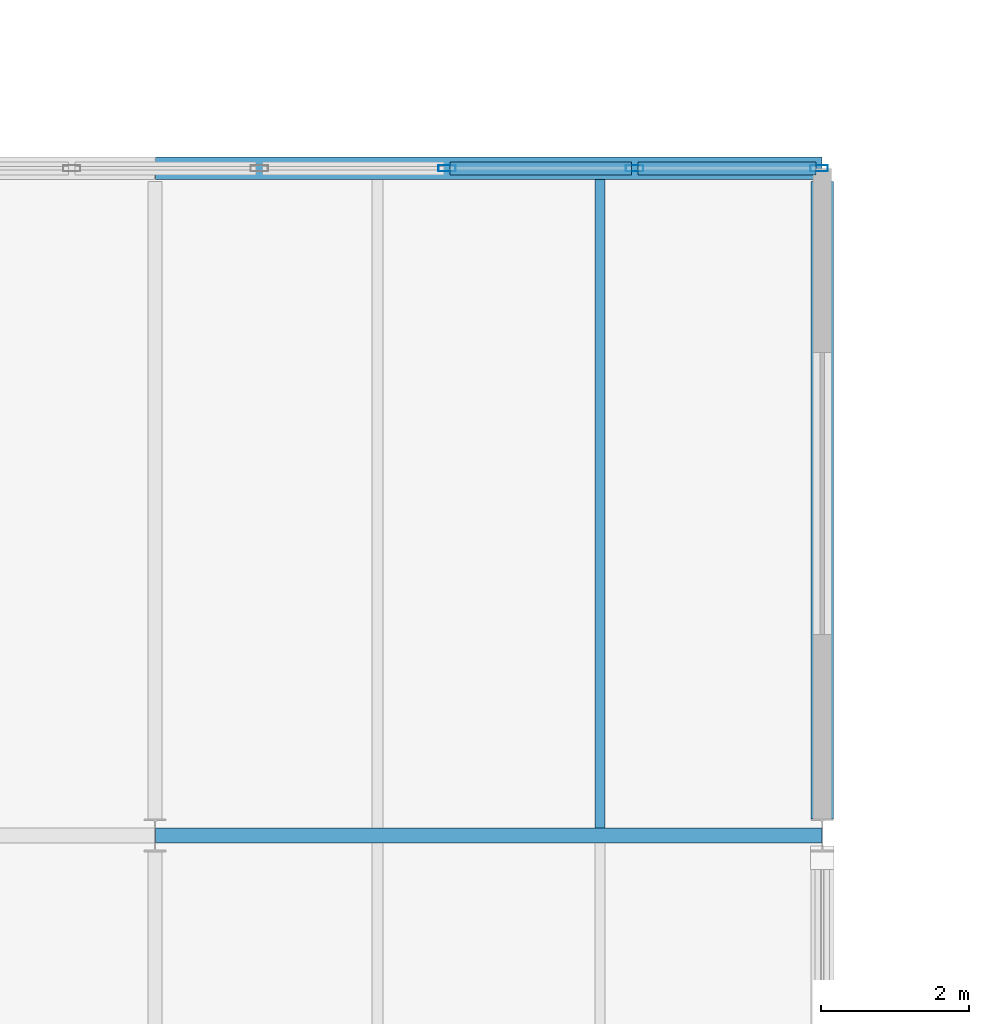
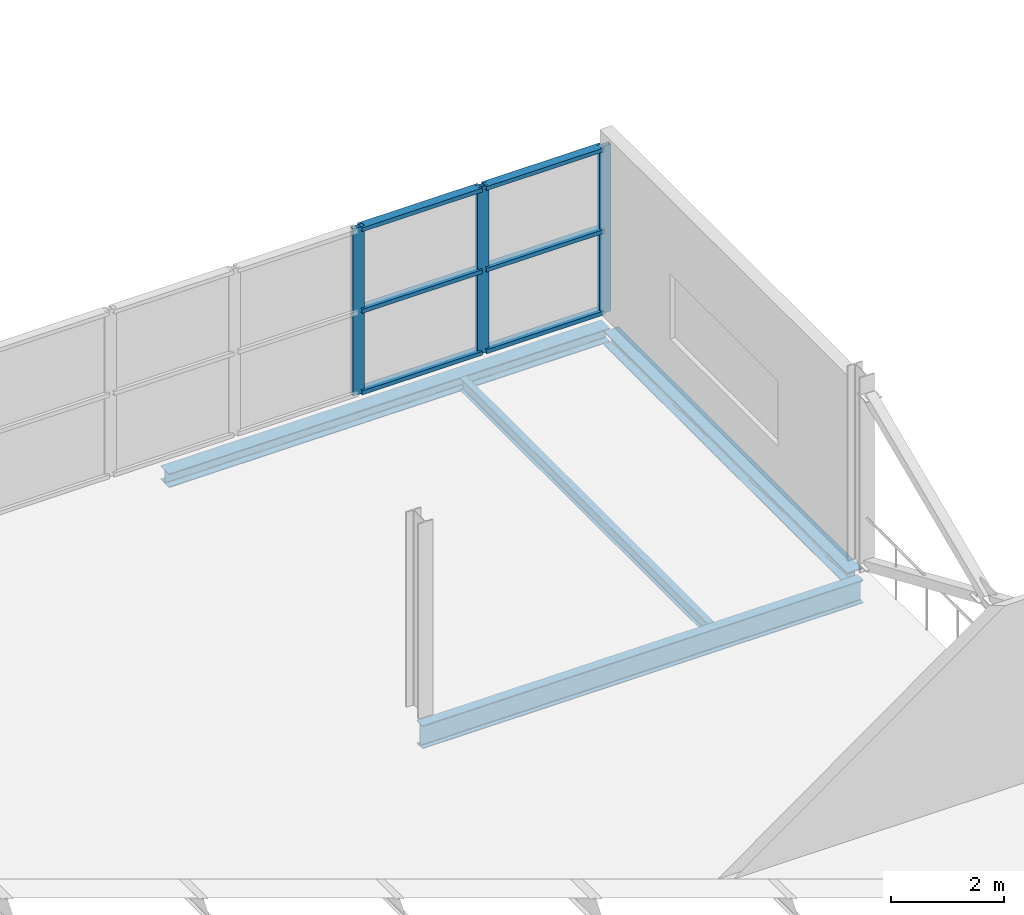
# One storey, part 63 of 88: 9 members, 4 beams, 1 element without a shape of its own.
"""IFC4 building model written with IfcOpenShell, lengths in metres."""

import ifcopenshell
import ifcopenshell.guid

model = None  # the IFC model being written
_history = None  # IfcOwnerHistory: only IFC2X3 demands one
_inside = {}  # id of a spatial element -> (the spatial element, [elements in it])
_under = {}  # id of a project, library or spatial element -> (it, [spatial elements below it])
_declared = {}  # id of a project -> (the project, [libraries it declares])
_typed = {}  # id of a type object -> (the type object, [elements of that type])
_made_of = {}  # id of a material, layer set ... -> (it, [elements and type objects made of it])


def new_model(schema):
    """Start an empty IFC model of exactly this schema.

    Asked for "IFC4X3", IfcOpenShell would pick the latest addendum, in which some entities
    have other attributes; the version numbers below select the first issue.
    IFC2X3 requires an IfcOwnerHistory on every rooted entity: one is made here for all.
    """
    global model, _history
    if schema == "IFC4X3":
        model = ifcopenshell.file(schema_version=(4, 3, 0, 0))
    else:
        model = ifcopenshell.file(schema=schema)
    _inside.clear()
    _under.clear()
    _declared.clear()
    _typed.clear()
    _made_of.clear()
    _history = None
    if model.schema == "IFC2X3":
        org = make("IfcOrganization", Name="unknown")
        user = make(
            "IfcPersonAndOrganization",
            ThePerson=make("IfcPerson", FamilyName="unknown"),
            TheOrganization=org,
        )
        app = make(
            "IfcApplication",
            ApplicationDeveloper=org,
            Version="unknown",
            ApplicationFullName="unknown",
            ApplicationIdentifier="unknown",
        )
        _history = make(
            "IfcOwnerHistory",
            OwningUser=user,
            OwningApplication=app,
            ChangeAction="ADDED",
            CreationDate=0,
        )
    return model


def make(cls, **values):
    """One entity of the class cls with the attributes given. An attribute that is None is left unset."""
    return model.create_entity(
        cls, **{name: value for name, value in values.items() if value is not None}
    )


def rooted(cls, **values):
    """An entity with a GlobalId (a new one), such as an element, a storey or a relation."""
    return make(cls, GlobalId=ifcopenshell.guid.new(), OwnerHistory=_history, **values)


def si_unit(unit_type, name, prefix=None):
    """IfcSIUnit, for example si_unit("LENGTHUNIT", "METRE", prefix="MILLI")."""
    return make("IfcSIUnit", UnitType=unit_type, Prefix=prefix, Name=name)


def assignment(units):
    """IfcUnitAssignment: the units of a project."""
    return None if units is None else make("IfcUnitAssignment", Units=units)


def point(xyz):
    """IfcCartesianPoint."""
    return None if xyz is None else make("IfcCartesianPoint", Coordinates=xyz)


def direction(xyz):
    """IfcDirection."""
    return None if xyz is None else make("IfcDirection", DirectionRatios=xyz)


def frame(location, z_axis=None, x_axis=None):
    """IfcAxis2Placement3D, a coordinate frame: its origin and axes. An axis left out is left unset."""
    return make(
        "IfcAxis2Placement3D",
        Location=point(location),
        Axis=direction(z_axis),
        RefDirection=direction(x_axis),
    )


def frame_2d(location, x_axis=None):
    """IfcAxis2Placement2D, a coordinate frame in the plane: its origin and x axis."""
    return make(
        "IfcAxis2Placement2D", Location=point(location), RefDirection=direction(x_axis)
    )


def origin():
    """The frame at (0, 0, 0) with its axes left unset."""
    return frame((0.0, 0.0, 0.0))


def origin_2d():
    """The frame at (0, 0) in the plane with its x axis left unset."""
    return frame_2d((0.0, 0.0))


def place(relative_to, where):
    """IfcLocalPlacement: puts the frame where relative to a parent placement (None: the world)."""
    return make(
        "IfcLocalPlacement", PlacementRelTo=relative_to, RelativePlacement=where
    )


def context(
    kind, dimensions, precision=None, world=None, true_north=None, identifier=None
):
    """IfcGeometricRepresentationContext, for example the 3D "Model" context."""
    return make(
        "IfcGeometricRepresentationContext",
        ContextIdentifier=identifier,
        ContextType=kind,
        CoordinateSpaceDimension=dimensions,
        Precision=precision,
        WorldCoordinateSystem=world,
        TrueNorth=true_north,
    )


def subcontext(parent, identifier, kind, view, scale=None):
    """IfcGeometricRepresentationSubContext, for example "Body" below "Model"."""
    return make(
        "IfcGeometricRepresentationSubContext",
        ContextIdentifier=identifier,
        ContextType=kind,
        ParentContext=parent,
        TargetScale=scale,
        TargetView=view,
    )


def project(units=None, contexts=None):
    """IfcProject with its units and contexts."""
    return rooted(
        "IfcProject",
        Name="project",
        RepresentationContexts=contexts,
        UnitsInContext=assignment(units),
    )


def spatial(cls, under=None, at=None, **own):
    """A site, building, storey or space (cls), placed at a placement, below another one or the project."""
    s = rooted(cls, ObjectPlacement=at, **own)
    if under is not None:
        _under.setdefault(under.id(), (under, []))[1].append(s)
    return s


def profile(cls, at=None, kind="AREA", **sizes):
    """A parametric profile (cls). Its sizes go by their IFC names, for example OverallWidth=200.0."""
    return make(cls, ProfileType=kind, Position=at, **sizes)


def hollow_rectangle(**sizes):
    """IfcRectangleHollowProfileDef."""
    return profile("IfcRectangleHollowProfileDef", **sizes)


def i_section(**sizes):
    """IfcIShapeProfileDef."""
    return profile("IfcIShapeProfileDef", **sizes)


def extrude(swept, where, along, depth):
    """IfcExtrudedAreaSolid: the profile swept, set in the frame where, extruded along a direction by depth."""
    return make(
        "IfcExtrudedAreaSolid",
        SweptArea=swept,
        Position=where,
        ExtrudedDirection=direction(along),
        Depth=depth,
    )


def shape(context_of_items, identifier, shape_type, items):
    """IfcShapeRepresentation: the items that make up one representation, for example the "Body"."""
    return make(
        "IfcShapeRepresentation",
        ContextOfItems=context_of_items,
        RepresentationIdentifier=identifier,
        RepresentationType=shape_type,
        Items=items,
    )


def material(Name=None, Category=None):
    """IfcMaterial."""
    return make("IfcMaterial", Name=Name, Category=Category)


def layer(
    of_material, thickness, ventilated=None, Name=None, Category=None, Priority=None
):
    """IfcMaterialLayer: one layer of a wall or slab, of a material (None: an air gap)."""
    return make(
        "IfcMaterialLayer",
        Material=of_material,
        LayerThickness=thickness,
        IsVentilated=ventilated,
        Name=Name,
        Category=Category,
        Priority=Priority,
    )


def layer_set(layers, Name=None):
    """IfcMaterialLayerSet."""
    return make("IfcMaterialLayerSet", MaterialLayers=layers, LayerSetName=Name)


def material_profile(
    of_material, cross_section, Name=None, Category=None, Priority=None
):
    """IfcMaterialProfile: a cross section and its material."""
    return make(
        "IfcMaterialProfile",
        Name=Name,
        Material=of_material,
        Profile=cross_section,
        Priority=Priority,
        Category=Category,
    )


def profile_set(profiles, Name=None, composite=None):
    """IfcMaterialProfileSet."""
    return make(
        "IfcMaterialProfileSet",
        Name=Name,
        MaterialProfiles=profiles,
        CompositeProfile=composite,
    )


def made_of(thing, what):
    """Note that an element or type object is made of a material, layer set ...; save() writes the relation."""
    if what is not None:
        _made_of.setdefault(what.id(), (what, []))[1].append(thing)
    return thing


def type_object(cls, material=None, **own):
    """A type object (cls), such as IfcWallType, which elements share."""
    return made_of(rooted(cls, **own), material)


def element(
    cls,
    number,
    at=None,
    inside=None,
    cuts=None,
    type_object=None,
    material=None,
    context=None,
    identifier="Body",
    shape_type=None,
    held_by="IfcProductDefinitionShape",
    body=None,
    shapes=None,
    **own,
):
    """One element of the class cls, such as IfcWall. Its Tag is "e" and its number.

    at: its placement. inside: the storey or other place that contains it. cuts: it is an
    opening in that element (IfcRelVoidsElement). A single representation is given by context,
    identifier, shape_type and body (its items); several are given by shapes. held_by: the class
    of the entity that holds the representations. save() writes the other relations.
    """
    e = rooted(cls, Tag="e%d" % number, ObjectPlacement=at, **own)
    if body is not None:
        shapes = [shape(context, identifier, shape_type, body)]
    if shapes is not None:
        e.Representation = make(held_by, Representations=shapes)
    if inside is not None:
        _inside.setdefault(inside.id(), (inside, []))[1].append(e)
    if cuts is not None:
        rooted(
            "IfcRelVoidsElement", RelatingBuildingElement=cuts, RelatedOpeningElement=e
        )
    if type_object is not None:
        _typed.setdefault(type_object.id(), (type_object, []))[1].append(e)
    return made_of(e, material)


def aggregate(whole, parts):
    """IfcRelAggregates: a whole, such as a stair, and the parts it consists of."""
    return rooted("IfcRelAggregates", RelatingObject=whole, RelatedObjects=parts)


def save(model, path):
    """Write the relations noted so far, then the file.

    IfcRelAggregates (storeys below a building ...), IfcRelContainedInSpatialStructure (elements
    in a storey), IfcRelDefinesByType, IfcRelAssociatesMaterial and IfcRelDeclares: one each for
    every whole, place, type object, material and project.
    """
    for whole, parts in _under.values():
        aggregate(whole, parts)
    for where, things in _inside.values():
        rooted(
            "IfcRelContainedInSpatialStructure",
            RelatedElements=things,
            RelatingStructure=where,
        )
    for kind, things in _typed.values():
        rooted("IfcRelDefinesByType", RelatedObjects=things, RelatingType=kind)
    for what, things in _made_of.values():
        rooted("IfcRelAssociatesMaterial", RelatedObjects=things, RelatingMaterial=what)
    for by, libraries in _declared.values():
        rooted("IfcRelDeclares", RelatingContext=by, RelatedDefinitions=libraries)
    model.write(path)


model = new_model("IFC4")

# Units and contexts
model_context = context("Model", 3, precision=1e-05, world=origin(), true_north=direction((0.0, 1.0)))
body_context = subcontext(model_context, "Body", "Model", "MODEL_VIEW")
ifc_project = project(units=[si_unit("LENGTHUNIT", "METRE"), si_unit("AREAUNIT", "SQUARE_METRE"), si_unit("VOLUMEUNIT", "CUBIC_METRE"), si_unit("PLANEANGLEUNIT", "RADIAN"), si_unit("MASSUNIT", "GRAM", prefix="KILO")], contexts=[model_context])

# Site, building, storey
site_placement = place(None, origin())
site = spatial("IfcSite", under=ifc_project, at=site_placement, CompositionType="ELEMENT")
building_placement = place(site_placement, origin())
building = spatial("IfcBuilding", under=site, at=building_placement, Name="Deido Ridge Mobility Hub", CompositionType="ELEMENT")
storey_placement = place(building_placement, frame((0.0, 0.0, 16.800048828125)))
storey = spatial("IfcBuildingStorey", under=building, at=storey_placement, Name="L04", CompositionType="ELEMENT", Elevation=16.800048828125)

# Beams
ifc_material_1 = material(Name="Steel S355J2 EN 10025-2", Category="steel")
ifc_material_profile_1 = material_profile(ifc_material_1, i_section(OverallWidth=0.199951171875, OverallDepth=0.5, WebThickness=0.01025390625, FlangeThickness=0.01611328125, FilletRadius=0.02099609375, at=origin_2d()), Name="IPE 500")
ifc_profile_set_1 = profile_set([ifc_material_profile_1], Name="Steel S355J2 EN 10025-2")
beam_type_1 = type_object("IfcBeamType", Name="BM-IPE500", PredefinedType="BEAM", material=ifc_profile_set_1)
beam_1_placement = place(storey_placement, frame((171.007080078125, 63.0, -0.525146484375), z_axis=(1.0, 0.0, 0.0), x_axis=(0.0, 1.0, 0.0)))
element("IfcBeam", 1, at=beam_1_placement, inside=storey, type_object=beam_type_1, Name="Floor beam B3", PredefinedType="BEAM", context=body_context, shape_type="SweptSolid", body=[
    extrude(i_section(OverallWidth=0.199951171875, OverallDepth=0.5, WebThickness=0.01025390625, FlangeThickness=0.01611328125, FilletRadius=0.02099609375, at=origin_2d()), origin(), (0.0, 0.0, 1.0), 8.98583984375),
])
ifc_material_profile_2 = material_profile(ifc_material_1, i_section(OverallWidth=0.135009765625, OverallDepth=0.27001953125, WebThickness=0.006591796875, FlangeThickness=0.01025390625, FilletRadius=0.014892578125, at=origin_2d()), Name="IPE 270")
ifc_profile_set_2 = profile_set([ifc_material_profile_2], Name="Steel S355J2 EN 10025-2")
beam_type_2 = type_object("IfcBeamType", Name="JST-IPE270", PredefinedType="JOIST", material=ifc_profile_set_2)
beam_2_placement = place(storey_placement, frame((177.0, 63.10009765625, -0.41015625), z_axis=(0.0, 1.0, 0.0), x_axis=(-1.0, 0.0, 0.0)))
element("IfcBeam", 2, at=beam_2_placement, inside=storey, type_object=beam_type_2, Name="Composite joist J4", PredefinedType="JOIST", context=body_context, shape_type="SweptSolid", body=[
    extrude(i_section(OverallWidth=0.135009765625, OverallDepth=0.27001953125, WebThickness=0.006591796875, FlangeThickness=0.01025390625, FilletRadius=0.014892578125, at=origin_2d()), origin(), (0.0, 0.0, 1.0), 8.75),
])

# Curtain wall, members
ifc_material_2 = material(Name="Anodised aluminium EN AW-6063 T6", Category="aluminium")
ifc_layer = layer(ifc_material_2, 0.132080078125, Name="Anodised aluminium EN AW-6063 T6")
ifc_layer_set = layer_set([ifc_layer], Name="Anodised aluminium EN AW-6063 T6")
curtain_wall_type = type_object("IfcCurtainWallType", Name="CW-GS-1", PredefinedType="USERDEFINED", material=ifc_layer_set)
curtain_wall_placement = place(storey_placement, origin())
curtain_wall = element("IfcCurtainWall", 3, at=curtain_wall_placement, inside=storey, type_object=curtain_wall_type, Name="Unitised curtain wall GS1", ObjectType="GLAZED SCREEN", PredefinedType="USERDEFINED")
ifc_material_profile_3 = material_profile(ifc_material_2, hollow_rectangle(XDim=0.0849609375, YDim=0.235107421875, WallThickness=0.00390625, at=origin_2d()), Name="RHS 85x235x4")
ifc_profile_set_3 = profile_set([ifc_material_profile_3], Name="Anodised aluminium EN AW-6063 T6")
member_type_1 = type_object("IfcMemberType", Name="MEM-MUL-85X235", PredefinedType="MULLION", material=ifc_profile_set_3)
member_1_placement = place(storey_placement, frame((174.9375, 72.0, 0.0), z_axis=(0.0, 0.0, 1.0), x_axis=(0.0, 1.0, 0.0)))
member_1 = element("IfcMember", 4, at=member_1_placement, type_object=member_type_1, Name="GS1 mullion 15", PredefinedType="MULLION", context=body_context, shape_type="SweptSolid", body=[
    extrude(hollow_rectangle(XDim=0.0849609375, YDim=0.235107421875, WallThickness=0.00390625, at=origin_2d()), origin(), (0.0, 0.0, 1.0), 3.599853515625),
])
member_2_placement = place(storey_placement, frame((177.46875, 72.0, 0.0), z_axis=(0.0, 0.0, 1.0), x_axis=(0.0, 1.0, 0.0)))
member_2 = element("IfcMember", 5, at=member_2_placement, type_object=member_type_1, Name="GS1 mullion 16", PredefinedType="MULLION", context=body_context, shape_type="SweptSolid", body=[
    extrude(hollow_rectangle(XDim=0.0849609375, YDim=0.235107421875, WallThickness=0.00390625, at=origin_2d()), origin(), (0.0, 0.0, 1.0), 3.599853515625),
])
member_3_placement = place(storey_placement, frame((179.95751953125, 72.0, 0.0), z_axis=(0.0, 0.0, 1.0), x_axis=(0.0, 1.0, 0.0)))
member_3 = element("IfcMember", 6, at=member_3_placement, type_object=member_type_1, Name="GS1 mullion 17", PredefinedType="MULLION", context=body_context, shape_type="SweptSolid", body=[
    extrude(hollow_rectangle(XDim=0.0849609375, YDim=0.235107421875, WallThickness=0.00390625, at=origin_2d()), origin(), (0.0, 0.0, 1.0), 3.599853515625),
])
ifc_material_profile_4 = material_profile(ifc_material_2, hollow_rectangle(XDim=0.175048828125, YDim=0.0849609375, WallThickness=0.00390625, at=origin_2d()), Name="RHS 175x85x4")
ifc_profile_set_4 = profile_set([ifc_material_profile_4], Name="Anodised aluminium EN AW-6063 T6")
member_type_2 = type_object("IfcMemberType", Name="MEM-TRN-175X85", PredefinedType="USERDEFINED", material=ifc_profile_set_4)
member_4_placement = place(storey_placement, frame((174.97998046875, 72.0, 0.04248046875), z_axis=(1.0, 0.0, 0.0), x_axis=(0.0, 1.0, 0.0)))
member_4 = element("IfcMember", 7, at=member_4_placement, type_object=member_type_2, Name="GS1 transom 15.1", ObjectType="TRANSOM", PredefinedType="USERDEFINED", context=body_context, shape_type="SweptSolid", body=[
    extrude(hollow_rectangle(XDim=0.175048828125, YDim=0.0849609375, WallThickness=0.00390625, at=origin_2d()), origin(), (0.0, 0.0, 1.0), 2.4462890625),
])
member_5_placement = place(storey_placement, frame((174.97998046875, 72.0, 1.800048828125), z_axis=(1.0, 0.0, 0.0), x_axis=(0.0, 1.0, 0.0)))
member_5 = element("IfcMember", 8, at=member_5_placement, type_object=member_type_2, Name="GS1 transom 15.2", ObjectType="TRANSOM", PredefinedType="USERDEFINED", context=body_context, shape_type="SweptSolid", body=[
    extrude(hollow_rectangle(XDim=0.175048828125, YDim=0.0849609375, WallThickness=0.00390625, at=origin_2d()), origin(), (0.0, 0.0, 1.0), 2.4462890625),
])
member_6_placement = place(storey_placement, frame((174.97998046875, 72.0, 3.557373046875), z_axis=(1.0, 0.0, 0.0), x_axis=(0.0, 1.0, 0.0)))
member_6 = element("IfcMember", 9, at=member_6_placement, type_object=member_type_2, Name="GS1 transom 15.3", ObjectType="TRANSOM", PredefinedType="USERDEFINED", context=body_context, shape_type="SweptSolid", body=[
    extrude(hollow_rectangle(XDim=0.175048828125, YDim=0.0849609375, WallThickness=0.00390625, at=origin_2d()), origin(), (0.0, 0.0, 1.0), 2.4462890625),
])
member_7_placement = place(storey_placement, frame((177.51123046875, 72.0, 0.04248046875), z_axis=(1.0, 0.0, 0.0), x_axis=(0.0, 1.0, 0.0)))
member_7 = element("IfcMember", 10, at=member_7_placement, type_object=member_type_2, Name="GS1 transom 16.1", ObjectType="TRANSOM", PredefinedType="USERDEFINED", context=body_context, shape_type="SweptSolid", body=[
    extrude(hollow_rectangle(XDim=0.175048828125, YDim=0.0849609375, WallThickness=0.00390625, at=origin_2d()), origin(), (0.0, 0.0, 1.0), 2.40380859375),
])
member_8_placement = place(storey_placement, frame((177.51123046875, 72.0, 1.800048828125), z_axis=(1.0, 0.0, 0.0), x_axis=(0.0, 1.0, 0.0)))
member_8 = element("IfcMember", 11, at=member_8_placement, type_object=member_type_2, Name="GS1 transom 16.2", ObjectType="TRANSOM", PredefinedType="USERDEFINED", context=body_context, shape_type="SweptSolid", body=[
    extrude(hollow_rectangle(XDim=0.175048828125, YDim=0.0849609375, WallThickness=0.00390625, at=origin_2d()), origin(), (0.0, 0.0, 1.0), 2.40380859375),
])
member_9_placement = place(storey_placement, frame((177.51123046875, 72.0, 3.557373046875), z_axis=(1.0, 0.0, 0.0), x_axis=(0.0, 1.0, 0.0)))
member_9 = element("IfcMember", 12, at=member_9_placement, type_object=member_type_2, Name="GS1 transom 16.3", ObjectType="TRANSOM", PredefinedType="USERDEFINED", context=body_context, shape_type="SweptSolid", body=[
    extrude(hollow_rectangle(XDim=0.175048828125, YDim=0.0849609375, WallThickness=0.00390625, at=origin_2d()), origin(), (0.0, 0.0, 1.0), 2.40380859375),
])
aggregate(curtain_wall, [member_1, member_2, member_3, member_4, member_5, member_6, member_7, member_8, member_9])

# Beams
ifc_material_profile_5 = material_profile(ifc_material_1, i_section(OverallWidth=0.300048828125, OverallDepth=0.300048828125, WebThickness=0.010986328125, FlangeThickness=0.01904296875, FilletRadius=0.027099609375, at=origin_2d()), Name="HEB 300")
ifc_profile_set_5 = profile_set([ifc_material_profile_5], Name="Steel S355J2 EN 10025-2")
beam_type_3 = type_object("IfcBeamType", Name="SPD-HEB300", PredefinedType="SPANDREL", material=ifc_profile_set_5)
beam_3_placement = place(storey_placement, frame((171.006103515625, 72.0, -0.425048828125), z_axis=(1.0, 0.0, 0.0), x_axis=(0.0, 1.0, 0.0)))
element("IfcBeam", 13, at=beam_3_placement, inside=storey, type_object=beam_type_3, Name="Floor beam SP1", PredefinedType="SPANDREL", context=body_context, shape_type="SweptSolid", body=[
    extrude(i_section(OverallWidth=0.300048828125, OverallDepth=0.300048828125, WebThickness=0.010986328125, FlangeThickness=0.01904296875, FilletRadius=0.027099609375, at=origin_2d()), origin(), (0.0, 0.0, 1.0), 8.98779296875),
])
beam_4_placement = place(storey_placement, frame((180.0, 63.22509765625, -0.425048828125), z_axis=(0.0, 1.0, 0.0), x_axis=(-1.0, 0.0, 0.0)))
element("IfcBeam", 14, at=beam_4_placement, inside=storey, type_object=beam_type_3, Name="Floor beam SP1", PredefinedType="SPANDREL", context=body_context, shape_type="SweptSolid", body=[
    extrude(i_section(OverallWidth=0.300048828125, OverallDepth=0.300048828125, WebThickness=0.010986328125, FlangeThickness=0.01904296875, FilletRadius=0.027099609375, at=origin_2d()), origin(), (0.0, 0.0, 1.0), 8.594970703125),
])

save(model, "model.ifc")
